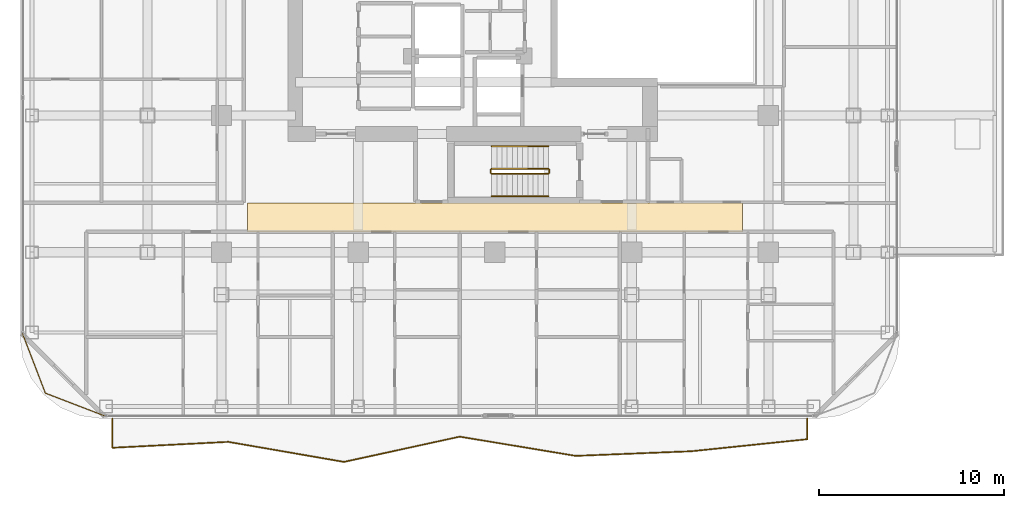
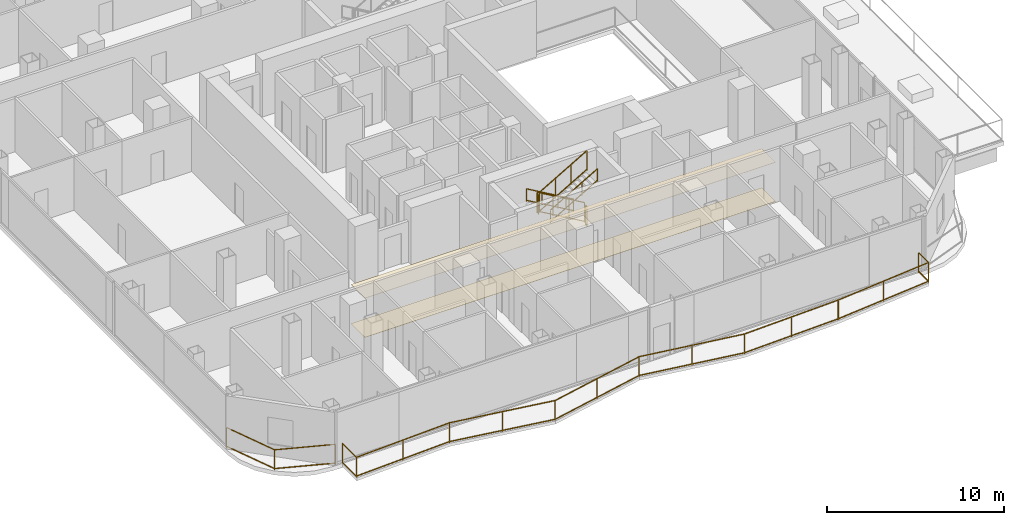
# One storey, part 25 of 27: 8 railings, 2 coverings.
"""IFC4 building model written with IfcOpenShell, lengths in metres."""

from ifc_helpers import new_model, si_unit, direction, frame, origin, origin_2d, place, context, subcontext, project, spatial, polyline, rectangle, outline, extrude, material, layer, layer_set, type_object, element, save


model = new_model("IFC4")

# Units and contexts
model_context = context("Model", 3, precision=1e-05, world=origin(), true_north=direction((0.0, 1.0)))
body_context = subcontext(model_context, "Body", "Model", "MODEL_VIEW")
ifc_project = project(units=[si_unit("LENGTHUNIT", "METRE"), si_unit("AREAUNIT", "SQUARE_METRE"), si_unit("VOLUMEUNIT", "CUBIC_METRE"), si_unit("PLANEANGLEUNIT", "RADIAN"), si_unit("MASSUNIT", "GRAM", prefix="KILO")], contexts=[model_context])

# Site, building, storey
site_placement = place(None, origin())
site = spatial("IfcSite", under=ifc_project, at=site_placement, CompositionType="ELEMENT")
building_placement = place(site_placement, origin())
building = spatial("IfcBuilding", under=site, at=building_placement, Name="Khorvyn Point Tower", CompositionType="ELEMENT")
storey_placement = place(building_placement, frame((0.0, 0.0, 168.0)))
storey = spatial("IfcBuildingStorey", under=building, at=storey_placement, Name="L41", CompositionType="ELEMENT", Elevation=168.0)

# Railings
ifc_material_1 = material(Name="Anodised aluminium 6063-T6 and laminated safety glass", Category="aluminium")
railing_type_1 = type_object("IfcRailingType", Name="Laminated Glass and Aluminium Balcony Guardrail 1400", PredefinedType="BALUSTRADE", material=ifc_material_1)
railing_1_placement = place(storey_placement, frame((-25.57421875, -19.176025390625, 0.0)))
element("IfcRailing", 1, at=railing_1_placement, inside=storey, type_object=railing_type_1, Name="L41 Rounded Corner Edge Guardrail SW", PredefinedType="BALUSTRADE", context=body_context, shape_type="SweptSolid", body=[
    extrude(rectangle(XDim=0.048095703125, YDim=0.048095703125, at=origin_2d()), frame((0.0, 0.0, 1.3759765625), z_axis=(0.358382264808, -0.933574931257, 0.0), x_axis=(0.933574931257, 0.358382264808, 0.0)), (0.0, 0.0, 1.0), 3.481689453125),
    extrude(rectangle(XDim=0.048095703125, YDim=0.048095703125, at=origin_2d()), frame((0.0, 0.0, 0.080078125), z_axis=(0.358382264808, -0.933574931257, 0.0), x_axis=(0.933574931257, 0.358382264808, 0.0)), (0.0, 0.0, 1.0), 3.481689453125),
    extrude(rectangle(XDim=0.048095703125, YDim=0.048095703125, at=origin_2d()), frame((1.247802734375, -3.25048828125, 1.3759765625), z_axis=(0.933598390295, -0.358321148746, 0.0), x_axis=(0.358321148746, 0.933598390295, 0.0)), (0.0, 0.0, 1.0), 3.481689453125),
    extrude(rectangle(XDim=0.048095703125, YDim=0.048095703125, at=origin_2d()), frame((1.247802734375, -3.25048828125, 0.080078125), z_axis=(0.933598390295, -0.358321148746, 0.0), x_axis=(0.358321148746, 0.933598390295, 0.0)), (0.0, 0.0, 1.0), 3.481689453125),
    extrude(rectangle(XDim=0.0419921875, YDim=0.0419921875, at=origin_2d()), origin(), (0.0, 0.0, 1.0), 1.351806640625),
    extrude(rectangle(XDim=0.0419921875, YDim=0.0419921875, at=origin_2d()), frame((1.247802734375, -3.25048828125, 0.0)), (0.0, 0.0, 1.0), 1.351806640625),
    extrude(rectangle(XDim=0.0419921875, YDim=0.0419921875, at=origin_2d()), frame((4.498291015625, -4.498046875, 0.0)), (0.0, 0.0, 1.0), 1.351806640625),
])
railing_2_placement = place(storey_placement, frame((-20.699951171875, -23.800048828125, 0.0)))
element("IfcRailing", 2, at=railing_2_placement, inside=storey, type_object=railing_type_1, Name="L41 South Balcony Guardrail", PredefinedType="BALUSTRADE", context=body_context, shape_type="SweptSolid", body=[
    extrude(rectangle(XDim=0.048095703125, YDim=0.048095703125, at=origin_2d()), frame((0.0, 0.0, 1.3759765625), z_axis=(0.0, -1.0, 0.0), x_axis=(1.0, 0.0, 0.0)), (0.0, 0.0, 1.0), 1.58154296875),
    extrude(rectangle(XDim=0.048095703125, YDim=0.048095703125, at=origin_2d()), frame((0.0, 0.0, 0.080078125), z_axis=(0.0, -1.0, 0.0), x_axis=(1.0, 0.0, 0.0)), (0.0, 0.0, 1.0), 1.58154296875),
    extrude(rectangle(XDim=0.048095703125, YDim=0.048095703125, at=origin_2d()), frame((0.0, -1.58154296875, 1.3759765625), z_axis=(0.998706121207, 0.050853549183, 0.0), x_axis=(-0.050853549183, 0.998706121207, 0.0)), (0.0, 0.0, 1.0), 6.274658203125),
    extrude(rectangle(XDim=0.048095703125, YDim=0.048095703125, at=origin_2d()), frame((0.0, -1.58154296875, 0.080078125), z_axis=(0.998706121207, 0.050853549183, 0.0), x_axis=(-0.050853549183, 0.998706121207, 0.0)), (0.0, 0.0, 1.0), 6.274658203125),
    extrude(rectangle(XDim=0.048095703125, YDim=0.048095703125, at=origin_2d()), frame((6.2666015625, -1.262451171875, 1.3759765625), z_axis=(0.985353979217, -0.170521364177, 0.0), x_axis=(0.170521364177, 0.985353979217, 0.0)), (0.0, 0.0, 1.0), 6.35986328125),
    extrude(rectangle(XDim=0.048095703125, YDim=0.048095703125, at=origin_2d()), frame((6.2666015625, -1.262451171875, 0.080078125), z_axis=(0.985353979217, -0.170521364177, 0.0), x_axis=(0.170521364177, 0.985353979217, 0.0)), (0.0, 0.0, 1.0), 6.35986328125),
    extrude(rectangle(XDim=0.048095703125, YDim=0.048095703125, at=origin_2d()), frame((12.533203125, -2.346923828125, 1.3759765625), z_axis=(0.977051492994, 0.213003239503, 0.0), x_axis=(-0.213003239503, 0.977051492994, 0.0)), (0.0, 0.0, 1.0), 6.4140625),
    extrude(rectangle(XDim=0.048095703125, YDim=0.048095703125, at=origin_2d()), frame((12.533203125, -2.346923828125, 0.080078125), z_axis=(0.977051492994, 0.213003239503, 0.0), x_axis=(-0.213003239503, 0.977051492994, 0.0)), (0.0, 0.0, 1.0), 6.4140625),
    extrude(rectangle(XDim=0.048095703125, YDim=0.048095703125, at=origin_2d()), frame((18.800048828125, -0.980712890625, 1.3759765625), z_axis=(0.986524494659, -0.163613634633, 0.0), x_axis=(0.163613634633, 0.986524494659, 0.0)), (0.0, 0.0, 1.0), 6.352294921875),
    extrude(rectangle(XDim=0.048095703125, YDim=0.048095703125, at=origin_2d()), frame((18.800048828125, -0.980712890625, 0.080078125), z_axis=(0.986524494659, -0.163613634633, 0.0), x_axis=(0.163613634633, 0.986524494659, 0.0)), (0.0, 0.0, 1.0), 6.352294921875),
    extrude(rectangle(XDim=0.048095703125, YDim=0.048095703125, at=origin_2d()), frame((25.066650390625, -2.02001953125, 1.3759765625), z_axis=(0.999209826541, 0.039745723582, 0.0), x_axis=(-0.039745723582, 0.999209826541, 0.0)), (0.0, 0.0, 1.0), 6.271484375),
    extrude(rectangle(XDim=0.048095703125, YDim=0.048095703125, at=origin_2d()), frame((25.066650390625, -2.02001953125, 0.080078125), z_axis=(0.999209826541, 0.039745723582, 0.0), x_axis=(-0.039745723582, 0.999209826541, 0.0)), (0.0, 0.0, 1.0), 6.271484375),
    extrude(rectangle(XDim=0.048095703125, YDim=0.048095703125, at=origin_2d()), frame((31.333251953125, -1.770751953125, 1.3759765625), z_axis=(0.99462938435, 0.103500665638, 0.0), x_axis=(-0.103500665638, 0.99462938435, 0.0)), (0.0, 0.0, 1.0), 6.300537109375),
    extrude(rectangle(XDim=0.048095703125, YDim=0.048095703125, at=origin_2d()), frame((31.333251953125, -1.770751953125, 0.080078125), z_axis=(0.99462938435, 0.103500665638, 0.0), x_axis=(-0.103500665638, 0.99462938435, 0.0)), (0.0, 0.0, 1.0), 6.300537109375),
    extrude(rectangle(XDim=0.048095703125, YDim=0.048095703125, at=origin_2d()), frame((37.599853515625, -1.11865234375, 1.3759765625), z_axis=(0.0, 1.0, 0.0), x_axis=(-1.0, 0.0, 0.0)), (0.0, 0.0, 1.0), 1.11865234375),
    extrude(rectangle(XDim=0.048095703125, YDim=0.048095703125, at=origin_2d()), frame((37.599853515625, -1.11865234375, 0.080078125), z_axis=(0.0, 1.0, 0.0), x_axis=(-1.0, 0.0, 0.0)), (0.0, 0.0, 1.0), 1.11865234375),
    extrude(rectangle(XDim=0.0419921875, YDim=0.0419921875, at=origin_2d()), origin(), (0.0, 0.0, 1.0), 1.351806640625),
    extrude(rectangle(XDim=0.0419921875, YDim=0.0419921875, at=origin_2d()), frame((0.0, -1.58154296875, 0.0)), (0.0, 0.0, 1.0), 1.351806640625),
    extrude(rectangle(XDim=0.0419921875, YDim=0.0419921875, at=origin_2d()), frame((3.13330078125, -1.421875, 0.0)), (0.0, 0.0, 1.0), 1.351806640625),
    extrude(rectangle(XDim=0.0419921875, YDim=0.0419921875, at=origin_2d()), frame((6.2666015625, -1.262451171875, 0.0)), (0.0, 0.0, 1.0), 1.351806640625),
    extrude(rectangle(XDim=0.0419921875, YDim=0.0419921875, at=origin_2d()), frame((9.39990234375, -1.8046875, 0.0)), (0.0, 0.0, 1.0), 1.351806640625),
    extrude(rectangle(XDim=0.0419921875, YDim=0.0419921875, at=origin_2d()), frame((12.533203125, -2.346923828125, 0.0)), (0.0, 0.0, 1.0), 1.351806640625),
    extrude(rectangle(XDim=0.0419921875, YDim=0.0419921875, at=origin_2d()), frame((15.66650390625, -1.663818359375, 0.0)), (0.0, 0.0, 1.0), 1.351806640625),
    extrude(rectangle(XDim=0.0419921875, YDim=0.0419921875, at=origin_2d()), frame((18.800048828125, -0.980712890625, 0.0)), (0.0, 0.0, 1.0), 1.351806640625),
    extrude(rectangle(XDim=0.0419921875, YDim=0.0419921875, at=origin_2d()), frame((21.933349609375, -1.50048828125, 0.0)), (0.0, 0.0, 1.0), 1.351806640625),
    extrude(rectangle(XDim=0.0419921875, YDim=0.0419921875, at=origin_2d()), frame((25.066650390625, -2.02001953125, 0.0)), (0.0, 0.0, 1.0), 1.351806640625),
    extrude(rectangle(XDim=0.0419921875, YDim=0.0419921875, at=origin_2d()), frame((28.199951171875, -1.8955078125, 0.0)), (0.0, 0.0, 1.0), 1.351806640625),
    extrude(rectangle(XDim=0.0419921875, YDim=0.0419921875, at=origin_2d()), frame((31.333251953125, -1.770751953125, 0.0)), (0.0, 0.0, 1.0), 1.351806640625),
    extrude(rectangle(XDim=0.0419921875, YDim=0.0419921875, at=origin_2d()), frame((34.466552734375, -1.44482421875, 0.0)), (0.0, 0.0, 1.0), 1.351806640625),
    extrude(rectangle(XDim=0.0419921875, YDim=0.0419921875, at=origin_2d()), frame((37.599853515625, -1.11865234375, 0.0)), (0.0, 0.0, 1.0), 1.351806640625),
    extrude(rectangle(XDim=0.0419921875, YDim=0.0419921875, at=origin_2d()), frame((37.599853515625, 0.0, 0.0)), (0.0, 0.0, 1.0), 1.351806640625),
])

# Coverings
ifc_material_2 = material(Name="Mineral-fibre acoustic ceiling board", Category="gypsum")
ifc_layer_1 = layer(ifc_material_2, 0.02001953125)
ifc_layer_set_1 = layer_set([ifc_layer_1], Name="Perforated Mineral-Fibre Acoustic Suspended Ceiling 20")
covering_type_1 = type_object("IfcCoveringType", Name="Perforated Mineral-Fibre Acoustic Suspended Ceiling 20", PredefinedType="CEILING", material=ifc_layer_set_1)
covering_1_placement = place(storey_placement, frame((0.0, 0.0, 2.699951171875)))
element("IfcCovering", 3, at=covering_1_placement, inside=storey, type_object=covering_type_1, Name="L41 South Corridor Acoustic Ceiling", PredefinedType="CEILING", context=body_context, shape_type="SweptSolid", body=[
    extrude(outline(polyline([(-13.39990234375, -13.7099609375), (13.39990234375, -13.7099609375), (13.39990234375, -12.139892578125), (-13.39990234375, -12.139892578125), (-13.39990234375, -13.7099609375)])), origin(), (0.0, 0.0, 1.0), 0.02001953125),
])
ifc_material_3 = material(Name="Vitrified porcelain terrazzo tile", Category="ceramic")
ifc_layer_2 = layer(ifc_material_3, 0.01806640625)
ifc_layer_set_2 = layer_set([ifc_layer_2], Name="Porcelain Terrazzo Corridor Floor Finish Tile 18")
covering_type_2 = type_object("IfcCoveringType", Name="Porcelain Terrazzo Corridor Floor Finish Tile 18", PredefinedType="FLOORING", material=ifc_layer_set_2)
covering_2_placement = place(storey_placement, origin())
element("IfcCovering", 4, at=covering_2_placement, inside=storey, type_object=covering_type_2, Name="L41 South Corridor Terrazzo Flooring", PredefinedType="FLOORING", context=body_context, shape_type="SweptSolid", body=[
    extrude(outline(polyline([(-13.39990234375, -13.7099609375), (13.39990234375, -13.7099609375), (13.39990234375, -12.139892578125), (-13.39990234375, -12.139892578125), (-13.39990234375, -13.7099609375)])), origin(), (0.0, 0.0, 1.0), 0.01806640625),
])

# Railings
ifc_material_4 = material(Name="Stainless steel 1.4301", Category="steel")
railing_type_2 = type_object("IfcRailingType", Name="Stainless Steel 304 Stair Pitch Handrail 900", PredefinedType="HANDRAIL", material=ifc_material_4)
railing_3_placement = place(storey_placement, frame((2.89990234375, -9.070068359375, 0.16259765625)))
element("IfcRailing", 5, at=railing_3_placement, inside=storey, type_object=railing_type_2, Name="L41 ST-01 stair handrail 1", PredefinedType="HANDRAIL", context=body_context, shape_type="SweptSolid", body=[
    extrude(rectangle(XDim=0.048095703125, YDim=0.048095703125, at=origin_2d()), frame((0.0, 0.0, 0.8759765625), z_axis=(-0.864903211148, 0.0, 0.501938676878), x_axis=(0.0, -1.0, 0.0)), (0.0, 0.0, 1.0), 3.560791015625),
    extrude(rectangle(XDim=0.048095703125, YDim=0.048095703125, at=origin_2d()), frame((0.0, 0.0, 0.080078125), z_axis=(-0.864903211148, 0.0, 0.501938676878), x_axis=(0.0, -1.0, 0.0)), (0.0, 0.0, 1.0), 3.560791015625),
    extrude(rectangle(XDim=0.0419921875, YDim=0.0419921875, at=origin_2d()), origin(), (0.0, 0.0, 1.0), 0.851806640625),
    extrude(rectangle(XDim=0.0419921875, YDim=0.0419921875, at=origin_2d()), frame((-1.026611328125, 0.0, 0.595703125)), (0.0, 0.0, 1.0), 0.851806640625),
    extrude(rectangle(XDim=0.0419921875, YDim=0.0419921875, at=origin_2d()), frame((-2.05322265625, 0.0, 1.191650390625)), (0.0, 0.0, 1.0), 0.851806640625),
    extrude(rectangle(XDim=0.0419921875, YDim=0.0419921875, at=origin_2d()), frame((-3.079833984375, 0.0, 1.787353515625)), (0.0, 0.0, 1.0), 0.851806640625),
])
railing_4_placement = place(storey_placement, frame((-0.179931640625, -11.77001953125, 2.112548828125)))
element("IfcRailing", 6, at=railing_4_placement, inside=storey, type_object=railing_type_2, Name="L41 ST-01 stair handrail 2", PredefinedType="HANDRAIL", context=body_context, shape_type="SweptSolid", body=[
    extrude(rectangle(XDim=0.048095703125, YDim=0.048095703125, at=origin_2d()), frame((0.0, 0.0, 0.8759765625), z_axis=(0.864903211148, 0.0, 0.501938676878), x_axis=(0.0, 1.0, 0.0)), (0.0, 0.0, 1.0), 3.560791015625),
    extrude(rectangle(XDim=0.048095703125, YDim=0.048095703125, at=origin_2d()), frame((0.0, 0.0, 0.080078125), z_axis=(0.864903211148, 0.0, 0.501938676878), x_axis=(0.0, 1.0, 0.0)), (0.0, 0.0, 1.0), 3.560791015625),
    extrude(rectangle(XDim=0.0419921875, YDim=0.0419921875, at=origin_2d()), origin(), (0.0, 0.0, 1.0), 0.851806640625),
    extrude(rectangle(XDim=0.0419921875, YDim=0.0419921875, at=origin_2d()), frame((1.026611328125, 0.0, 0.595703125)), (0.0, 0.0, 1.0), 0.851806640625),
    extrude(rectangle(XDim=0.0419921875, YDim=0.0419921875, at=origin_2d()), frame((2.05322265625, 0.0, 1.191650390625)), (0.0, 0.0, 1.0), 0.851806640625),
    extrude(rectangle(XDim=0.0419921875, YDim=0.0419921875, at=origin_2d()), frame((3.079833984375, 0.0, 1.787353515625)), (0.0, 0.0, 1.0), 0.851806640625),
])
railing_type_3 = type_object("IfcRailingType", Name="Stainless Steel 304 Stair Well Guardrail 1400", PredefinedType="GUARDRAIL", material=ifc_material_4)
railing_5_placement = place(storey_placement, frame((2.89990234375, -10.2900390625, 0.16259765625)))
element("IfcRailing", 7, at=railing_5_placement, inside=storey, type_object=railing_type_3, Name="L41 ST-01 stair guard 1", PredefinedType="GUARDRAIL", context=body_context, shape_type="SweptSolid", body=[
    extrude(rectangle(XDim=0.048095703125, YDim=0.048095703125, at=origin_2d()), frame((0.0, 0.0, 1.3759765625), z_axis=(-0.864903211148, 0.0, 0.501938676878), x_axis=(0.0, -1.0, 0.0)), (0.0, 0.0, 1.0), 3.560791015625),
    extrude(rectangle(XDim=0.048095703125, YDim=0.048095703125, at=origin_2d()), frame((0.0, 0.0, 0.080078125), z_axis=(-0.864903211148, 0.0, 0.501938676878), x_axis=(0.0, -1.0, 0.0)), (0.0, 0.0, 1.0), 3.560791015625),
    extrude(rectangle(XDim=0.0419921875, YDim=0.0419921875, at=origin_2d()), origin(), (0.0, 0.0, 1.0), 1.351806640625),
    extrude(rectangle(XDim=0.0419921875, YDim=0.0419921875, at=origin_2d()), frame((-1.026611328125, 0.0, 0.595703125)), (0.0, 0.0, 1.0), 1.351806640625),
    extrude(rectangle(XDim=0.0419921875, YDim=0.0419921875, at=origin_2d()), frame((-2.05322265625, 0.0, 1.191650390625)), (0.0, 0.0, 1.0), 1.351806640625),
    extrude(rectangle(XDim=0.0419921875, YDim=0.0419921875, at=origin_2d()), frame((-3.079833984375, 0.0, 1.787353515625)), (0.0, 0.0, 1.0), 1.351806640625),
])
railing_6_placement = place(storey_placement, frame((-0.22998046875, -10.340087890625, 1.949951171875)))
element("IfcRailing", 8, at=railing_6_placement, inside=storey, type_object=railing_type_3, Name="L41 ST-01 stair guard 2", PredefinedType="GUARDRAIL", context=body_context, shape_type="SweptSolid", body=[
    extrude(rectangle(XDim=0.048095703125, YDim=0.048095703125, at=origin_2d()), frame((0.0, 0.0, 1.3759765625), z_axis=(0.0, -1.0, 0.0), x_axis=(1.0, 0.0, 0.0)), (0.0, 0.0, 1.0), 0.159912109375),
    extrude(rectangle(XDim=0.048095703125, YDim=0.048095703125, at=origin_2d()), frame((0.0, 0.0, 0.080078125), z_axis=(0.0, -1.0, 0.0), x_axis=(1.0, 0.0, 0.0)), (0.0, 0.0, 1.0), 0.159912109375),
    extrude(rectangle(XDim=0.0419921875, YDim=0.0419921875, at=origin_2d()), origin(), (0.0, 0.0, 1.0), 1.351806640625),
    extrude(rectangle(XDim=0.0419921875, YDim=0.0419921875, at=origin_2d()), frame((0.0, -0.159912109375, 0.0)), (0.0, 0.0, 1.0), 1.351806640625),
])
railing_7_placement = place(storey_placement, frame((-0.179931640625, -10.550048828125, 2.112548828125)))
element("IfcRailing", 9, at=railing_7_placement, inside=storey, type_object=railing_type_3, Name="L41 ST-01 stair guard 3", PredefinedType="GUARDRAIL", context=body_context, shape_type="SweptSolid", body=[
    extrude(rectangle(XDim=0.048095703125, YDim=0.048095703125, at=origin_2d()), frame((0.0, 0.0, 1.3759765625), z_axis=(0.864903211148, 0.0, 0.501938676878), x_axis=(0.0, 1.0, 0.0)), (0.0, 0.0, 1.0), 3.560791015625),
    extrude(rectangle(XDim=0.048095703125, YDim=0.048095703125, at=origin_2d()), frame((0.0, 0.0, 0.080078125), z_axis=(0.864903211148, 0.0, 0.501938676878), x_axis=(0.0, 1.0, 0.0)), (0.0, 0.0, 1.0), 3.560791015625),
    extrude(rectangle(XDim=0.0419921875, YDim=0.0419921875, at=origin_2d()), origin(), (0.0, 0.0, 1.0), 1.351806640625),
    extrude(rectangle(XDim=0.0419921875, YDim=0.0419921875, at=origin_2d()), frame((1.026611328125, 0.0, 0.595703125)), (0.0, 0.0, 1.0), 1.351806640625),
    extrude(rectangle(XDim=0.0419921875, YDim=0.0419921875, at=origin_2d()), frame((2.05322265625, 0.0, 1.191650390625)), (0.0, 0.0, 1.0), 1.351806640625),
    extrude(rectangle(XDim=0.0419921875, YDim=0.0419921875, at=origin_2d()), frame((3.079833984375, 0.0, 1.787353515625)), (0.0, 0.0, 1.0), 1.351806640625),
])
railing_8_placement = place(storey_placement, frame((2.949951171875, -10.340087890625, 0.0)))
element("IfcRailing", 10, at=railing_8_placement, inside=storey, type_object=railing_type_3, Name="L41 ST-01 stair guard 4", PredefinedType="GUARDRAIL", context=body_context, shape_type="SweptSolid", body=[
    extrude(rectangle(XDim=0.048095703125, YDim=0.048095703125, at=origin_2d()), frame((0.0, 0.0, 1.3759765625), z_axis=(0.0, -1.0, 0.0), x_axis=(1.0, 0.0, 0.0)), (0.0, 0.0, 1.0), 0.159912109375),
    extrude(rectangle(XDim=0.048095703125, YDim=0.048095703125, at=origin_2d()), frame((0.0, 0.0, 0.080078125), z_axis=(0.0, -1.0, 0.0), x_axis=(1.0, 0.0, 0.0)), (0.0, 0.0, 1.0), 0.159912109375),
    extrude(rectangle(XDim=0.0419921875, YDim=0.0419921875, at=origin_2d()), origin(), (0.0, 0.0, 1.0), 1.351806640625),
    extrude(rectangle(XDim=0.0419921875, YDim=0.0419921875, at=origin_2d()), frame((0.0, -0.159912109375, 0.0)), (0.0, 0.0, 1.0), 1.351806640625),
])

save(model, "model.ifc")
